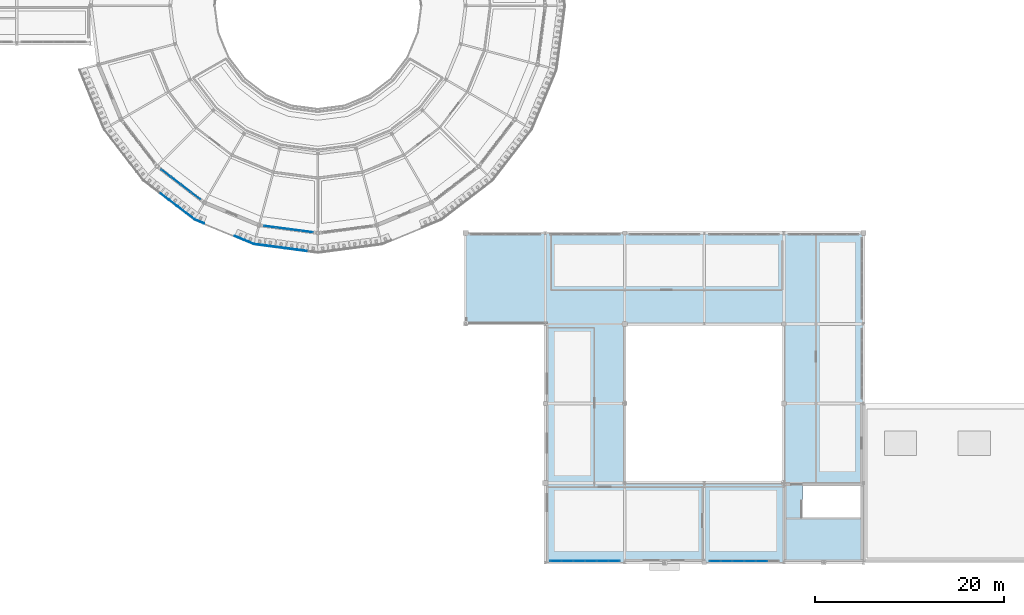
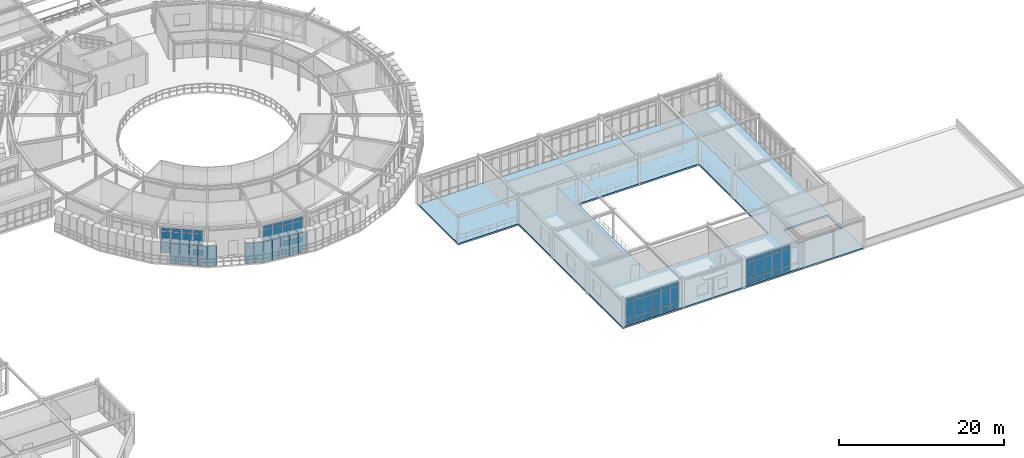
# One storey, part 68 of 106: 69 plates, 1 slab, 4 elements without a shape of their own.
"""IFC4 building model written with IfcOpenShell, lengths in metres."""

from ifc_helpers import new_model, si_unit, derived_unit, direction, frame, origin, origin_2d, place, context, subcontext, project, spatial, polyline, rectangle, outline, extrude, material, layer, layer_set, type_object, element, aggregate, save


model = new_model("IFC4")

# Units and contexts
model_context = context("Model", 3, precision=1e-05, world=origin(), true_north=direction((0.0, 1.0)))
body_context = subcontext(model_context, "Body", "Model", "MODEL_VIEW")
ifc_project = project(units=[si_unit("LENGTHUNIT", "METRE"), si_unit("AREAUNIT", "SQUARE_METRE"), si_unit("VOLUMEUNIT", "CUBIC_METRE"), si_unit("PLANEANGLEUNIT", "RADIAN"), si_unit("MASSUNIT", "GRAM", prefix="KILO"), derived_unit("THERMALTRANSMITTANCEUNIT", [(si_unit("POWERUNIT", "WATT"), 1), (si_unit("AREAUNIT", "SQUARE_METRE"), -1), (si_unit("THERMODYNAMICTEMPERATUREUNIT", "KELVIN"), -1)])], contexts=[model_context])

# Site, building, storey
site_placement = place(None, origin())
site = spatial("IfcSite", under=ifc_project, at=site_placement, CompositionType="ELEMENT")
building_placement = place(site_placement, origin())
building = spatial("IfcBuilding", under=site, at=building_placement, Name="Yasenodar Specialist Clinic", CompositionType="ELEMENT")
storey_placement = place(building_placement, frame((0.0, 0.0, 4.5)))
storey = spatial("IfcBuildingStorey", under=building, at=storey_placement, Name="L01", CompositionType="ELEMENT", Elevation=4.5)

# Curtain wall, plates
ifc_material_1 = material(Name="Bronze Anodized Aluminium and Triple Low-E Glass", Category="aluminium")
ifc_layer_1 = layer(ifc_material_1, 0.1669921875)
ifc_layer_set_1 = layer_set([ifc_layer_1], Name="Bronze Anodized Aluminium and Triple Low-E Glass")
curtain_wall_type_1 = type_object("IfcCurtainWallType", Name="CW-SYS-01", PredefinedType="USERDEFINED", material=ifc_layer_set_1)
curtain_wall_1_placement = place(storey_placement, origin())
curtain_wall_1 = element("IfcCurtainWall", 1, at=curtain_wall_1_placement, inside=storey, type_object=curtain_wall_type_1, Name="L01 Unitised Curtain Wall 020", ObjectType="UNITISED CURTAIN WALL", PredefinedType="USERDEFINED")
ifc_material_2 = material(Name="Triple Low-E Argon Glazing", Category="glass")
ifc_layer_2 = layer(ifc_material_2, 0.028076171875)
ifc_layer_set_2 = layer_set([ifc_layer_2], Name="Triple Low-E Argon Glazing")
plate_type_1 = type_object("IfcPlateType", Name="CW-PAN-1", PredefinedType="CURTAIN_PANEL", material=ifc_layer_set_2)
plate_1_placement = place(storey_placement, frame((68.078125, 38.72265625, 0.074951171875), z_axis=(0.0, 0.0, 1.0), x_axis=(-0.793360558574, 0.608752021844, 0.0)))
plate_1 = element("IfcPlate", 2, at=plate_1_placement, type_object=plate_type_1, Name="CW-01 panel 1.1", PredefinedType="CURTAIN_PANEL", context=body_context, shape_type="SweptSolid", body=[
    extrude(rectangle(XDim=1.2138671875, YDim=0.028076171875, at=origin_2d()), origin(), (0.0, 0.0, 1.0), 0.78759765625),
])
plate_2_placement = place(storey_placement, frame((68.078125, 38.72265625, 0.9375), z_axis=(0.0, 0.0, 1.0), x_axis=(-0.793360558574, 0.608752021844, 0.0)))
plate_2 = element("IfcPlate", 3, at=plate_2_placement, type_object=plate_type_1, Name="CW-01 panel 1.2", PredefinedType="CURTAIN_PANEL", context=body_context, shape_type="SweptSolid", body=[
    extrude(rectangle(XDim=1.2138671875, YDim=0.028076171875, at=origin_2d()), origin(), (0.0, 0.0, 1.0), 2.262939453125),
])
plate_3_placement = place(storey_placement, frame((68.078125, 38.72265625, 3.275390625), z_axis=(0.0, 0.0, 1.0), x_axis=(-0.793360558574, 0.608752021844, 0.0)))
plate_3 = element("IfcPlate", 4, at=plate_3_placement, type_object=plate_type_1, Name="CW-01 panel 1.3", PredefinedType="CURTAIN_PANEL", context=body_context, shape_type="SweptSolid", body=[
    extrude(rectangle(XDim=1.2138671875, YDim=0.028076171875, at=origin_2d()), origin(), (0.0, 0.0, 1.0), 0.487548828125),
])
plate_4_placement = place(storey_placement, frame((67.040771484375, 39.518798828125, 0.074951171875), z_axis=(0.0, 0.0, 1.0), x_axis=(-0.793360558574, 0.608752021844, 0.0)))
plate_4 = element("IfcPlate", 5, at=plate_4_placement, type_object=plate_type_1, Name="CW-01 panel 2.1", PredefinedType="CURTAIN_PANEL", context=body_context, shape_type="SweptSolid", body=[
    extrude(rectangle(XDim=1.251220703125, YDim=0.028076171875, at=origin_2d()), origin(), (0.0, 0.0, 1.0), 0.78759765625),
])
plate_5_placement = place(storey_placement, frame((67.040771484375, 39.518798828125, 0.9375), z_axis=(0.0, 0.0, 1.0), x_axis=(-0.793360558574, 0.608752021844, 0.0)))
plate_5 = element("IfcPlate", 6, at=plate_5_placement, type_object=plate_type_1, Name="CW-01 panel 2.2", PredefinedType="CURTAIN_PANEL", context=body_context, shape_type="SweptSolid", body=[
    extrude(rectangle(XDim=1.251220703125, YDim=0.028076171875, at=origin_2d()), origin(), (0.0, 0.0, 1.0), 2.262939453125),
])
plate_6_placement = place(storey_placement, frame((67.040771484375, 39.518798828125, 3.275390625), z_axis=(0.0, 0.0, 1.0), x_axis=(-0.793360558574, 0.608752021844, 0.0)))
plate_6 = element("IfcPlate", 7, at=plate_6_placement, type_object=plate_type_1, Name="CW-01 panel 2.3", PredefinedType="CURTAIN_PANEL", context=body_context, shape_type="SweptSolid", body=[
    extrude(rectangle(XDim=1.251220703125, YDim=0.028076171875, at=origin_2d()), origin(), (0.0, 0.0, 1.0), 0.487548828125),
])
plate_7_placement = place(storey_placement, frame((65.988525390625, 40.326171875, 0.074951171875), z_axis=(0.0, 0.0, 1.0), x_axis=(-0.793360558574, 0.608752021844, 0.0)))
plate_7 = element("IfcPlate", 8, at=plate_7_placement, type_object=plate_type_1, Name="CW-01 panel 3.1", PredefinedType="CURTAIN_PANEL", context=body_context, shape_type="SweptSolid", body=[
    extrude(rectangle(XDim=1.251220703125, YDim=0.028076171875, at=origin_2d()), origin(), (0.0, 0.0, 1.0), 0.78759765625),
])
plate_8_placement = place(storey_placement, frame((65.988525390625, 40.326171875, 0.9375), z_axis=(0.0, 0.0, 1.0), x_axis=(-0.793360558574, 0.608752021844, 0.0)))
plate_8 = element("IfcPlate", 9, at=plate_8_placement, type_object=plate_type_1, Name="CW-01 panel 3.2", PredefinedType="CURTAIN_PANEL", context=body_context, shape_type="SweptSolid", body=[
    extrude(rectangle(XDim=1.251220703125, YDim=0.028076171875, at=origin_2d()), origin(), (0.0, 0.0, 1.0), 2.262939453125),
])
plate_9_placement = place(storey_placement, frame((65.988525390625, 40.326171875, 3.275390625), z_axis=(0.0, 0.0, 1.0), x_axis=(-0.793360558574, 0.608752021844, 0.0)))
plate_9 = element("IfcPlate", 10, at=plate_9_placement, type_object=plate_type_1, Name="CW-01 panel 3.3", PredefinedType="CURTAIN_PANEL", context=body_context, shape_type="SweptSolid", body=[
    extrude(rectangle(XDim=1.251220703125, YDim=0.028076171875, at=origin_2d()), origin(), (0.0, 0.0, 1.0), 0.487548828125),
])
plate_10_placement = place(storey_placement, frame((64.951171875, 41.1220703125, 0.074951171875), z_axis=(0.0, 0.0, 1.0), x_axis=(-0.793360558574, 0.608752021844, 0.0)))
plate_10 = element("IfcPlate", 11, at=plate_10_placement, type_object=plate_type_1, Name="CW-01 panel 4.1", PredefinedType="CURTAIN_PANEL", context=body_context, shape_type="SweptSolid", body=[
    extrude(rectangle(XDim=1.2138671875, YDim=0.028076171875, at=origin_2d()), origin(), (0.0, 0.0, 1.0), 0.78759765625),
])
plate_11_placement = place(storey_placement, frame((64.951171875, 41.1220703125, 0.9375), z_axis=(0.0, 0.0, 1.0), x_axis=(-0.793360558574, 0.608752021844, 0.0)))
plate_11 = element("IfcPlate", 12, at=plate_11_placement, type_object=plate_type_1, Name="CW-01 panel 4.2", PredefinedType="CURTAIN_PANEL", context=body_context, shape_type="SweptSolid", body=[
    extrude(rectangle(XDim=1.2138671875, YDim=0.028076171875, at=origin_2d()), origin(), (0.0, 0.0, 1.0), 2.262939453125),
])
plate_12_placement = place(storey_placement, frame((64.951171875, 41.1220703125, 3.275390625), z_axis=(0.0, 0.0, 1.0), x_axis=(-0.793360558574, 0.608752021844, 0.0)))
plate_12 = element("IfcPlate", 13, at=plate_12_placement, type_object=plate_type_1, Name="CW-01 panel 4.3", PredefinedType="CURTAIN_PANEL", context=body_context, shape_type="SweptSolid", body=[
    extrude(rectangle(XDim=1.2138671875, YDim=0.028076171875, at=origin_2d()), origin(), (0.0, 0.0, 1.0), 0.487548828125),
])
aggregate(curtain_wall_1, [plate_1, plate_2, plate_3, plate_4, plate_5, plate_6, plate_7, plate_8, plate_9, plate_10, plate_11, plate_12])

ifc_layer_3 = layer(ifc_material_1, 0.178955078125)
ifc_layer_set_3 = layer_set([ifc_layer_3], Name="Bronze Anodized Aluminium and Triple Low-E Glass")
curtain_wall_type_2 = type_object("IfcCurtainWallType", Name="CW-SYS-02", PredefinedType="USERDEFINED", material=ifc_layer_set_3)
curtain_wall_2_placement = place(storey_placement, origin())
curtain_wall_2 = element("IfcCurtainWall", 14, at=curtain_wall_2_placement, inside=storey, type_object=curtain_wall_type_2, Name="L01 Unitised Curtain Wall 092", ObjectType="UNITISED CURTAIN WALL", PredefinedType="USERDEFINED")
plate_13_placement = place(storey_placement, frame((127.860107421875, 0.14990234375, 0.070068359375), z_axis=(0.0, 0.0, 1.0), x_axis=(-1.0, 0.0, 0.0)))
plate_13 = element("IfcPlate", 15, at=plate_13_placement, type_object=plate_type_1, Name="CW-02 panel 2.1", PredefinedType="CURTAIN_PANEL", context=body_context, shape_type="SweptSolid", body=[
    extrude(rectangle(XDim=1.169921875, YDim=0.028076171875, at=origin_2d()), origin(), (0.0, 0.0, 1.0), 0.794921875),
])
plate_14_placement = place(storey_placement, frame((127.860107421875, 0.14990234375, 0.93505859375), z_axis=(0.0, 0.0, 1.0), x_axis=(-1.0, 0.0, 0.0)))
plate_14 = element("IfcPlate", 16, at=plate_14_placement, type_object=plate_type_1, Name="CW-02 panel 2.2", PredefinedType="CURTAIN_PANEL", context=body_context, shape_type="SweptSolid", body=[
    extrude(rectangle(XDim=1.169921875, YDim=0.028076171875, at=origin_2d()), origin(), (0.0, 0.0, 1.0), 2.407958984375),
])
plate_15_placement = place(storey_placement, frame((127.860107421875, 0.14990234375, 3.412841796875), z_axis=(0.0, 0.0, 1.0), x_axis=(-1.0, 0.0, 0.0)))
plate_15 = element("IfcPlate", 17, at=plate_15_placement, type_object=plate_type_1, Name="CW-02 panel 2.3", PredefinedType="CURTAIN_PANEL", context=body_context, shape_type="SweptSolid", body=[
    extrude(rectangle(XDim=1.169921875, YDim=0.028076171875, at=origin_2d()), origin(), (0.0, 0.0, 1.0), 0.4951171875),
])
plate_16_placement = place(storey_placement, frame((126.6201171875, 0.14990234375, 0.070068359375), z_axis=(0.0, 0.0, 1.0), x_axis=(-1.0, 0.0, 0.0)))
plate_16 = element("IfcPlate", 18, at=plate_16_placement, type_object=plate_type_1, Name="CW-02 panel 3.1", PredefinedType="CURTAIN_PANEL", context=body_context, shape_type="SweptSolid", body=[
    extrude(rectangle(XDim=1.169921875, YDim=0.028076171875, at=origin_2d()), origin(), (0.0, 0.0, 1.0), 0.794921875),
])
plate_17_placement = place(storey_placement, frame((126.6201171875, 0.14990234375, 0.93505859375), z_axis=(0.0, 0.0, 1.0), x_axis=(-1.0, 0.0, 0.0)))
plate_17 = element("IfcPlate", 19, at=plate_17_placement, type_object=plate_type_1, Name="CW-02 panel 3.2", PredefinedType="CURTAIN_PANEL", context=body_context, shape_type="SweptSolid", body=[
    extrude(rectangle(XDim=1.169921875, YDim=0.028076171875, at=origin_2d()), origin(), (0.0, 0.0, 1.0), 2.407958984375),
])
plate_18_placement = place(storey_placement, frame((126.6201171875, 0.14990234375, 3.412841796875), z_axis=(0.0, 0.0, 1.0), x_axis=(-1.0, 0.0, 0.0)))
plate_18 = element("IfcPlate", 20, at=plate_18_placement, type_object=plate_type_1, Name="CW-02 panel 3.3", PredefinedType="CURTAIN_PANEL", context=body_context, shape_type="SweptSolid", body=[
    extrude(rectangle(XDim=1.169921875, YDim=0.028076171875, at=origin_2d()), origin(), (0.0, 0.0, 1.0), 0.4951171875),
])
plate_19_placement = place(storey_placement, frame((125.3798828125, 0.14990234375, 0.070068359375), z_axis=(0.0, 0.0, 1.0), x_axis=(-1.0, 0.0, 0.0)))
plate_19 = element("IfcPlate", 21, at=plate_19_placement, type_object=plate_type_1, Name="CW-02 panel 4.1", PredefinedType="CURTAIN_PANEL", context=body_context, shape_type="SweptSolid", body=[
    extrude(rectangle(XDim=1.169921875, YDim=0.028076171875, at=origin_2d()), origin(), (0.0, 0.0, 1.0), 0.794921875),
])
plate_20_placement = place(storey_placement, frame((125.3798828125, 0.14990234375, 0.93505859375), z_axis=(0.0, 0.0, 1.0), x_axis=(-1.0, 0.0, 0.0)))
plate_20 = element("IfcPlate", 22, at=plate_20_placement, type_object=plate_type_1, Name="CW-02 panel 4.2", PredefinedType="CURTAIN_PANEL", context=body_context, shape_type="SweptSolid", body=[
    extrude(rectangle(XDim=1.169921875, YDim=0.028076171875, at=origin_2d()), origin(), (0.0, 0.0, 1.0), 2.407958984375),
])
plate_21_placement = place(storey_placement, frame((125.3798828125, 0.14990234375, 3.412841796875), z_axis=(0.0, 0.0, 1.0), x_axis=(-1.0, 0.0, 0.0)))
plate_21 = element("IfcPlate", 23, at=plate_21_placement, type_object=plate_type_1, Name="CW-02 panel 4.3", PredefinedType="CURTAIN_PANEL", context=body_context, shape_type="SweptSolid", body=[
    extrude(rectangle(XDim=1.169921875, YDim=0.028076171875, at=origin_2d()), origin(), (0.0, 0.0, 1.0), 0.4951171875),
])
plate_22_placement = place(storey_placement, frame((124.139892578125, 0.14990234375, 0.070068359375), z_axis=(0.0, 0.0, 1.0), x_axis=(-1.0, 0.0, 0.0)))
plate_22 = element("IfcPlate", 24, at=plate_22_placement, type_object=plate_type_1, Name="CW-02 panel 5.1", PredefinedType="CURTAIN_PANEL", context=body_context, shape_type="SweptSolid", body=[
    extrude(rectangle(XDim=1.169921875, YDim=0.028076171875, at=origin_2d()), origin(), (0.0, 0.0, 1.0), 0.794921875),
])
plate_23_placement = place(storey_placement, frame((124.139892578125, 0.14990234375, 0.93505859375), z_axis=(0.0, 0.0, 1.0), x_axis=(-1.0, 0.0, 0.0)))
plate_23 = element("IfcPlate", 25, at=plate_23_placement, type_object=plate_type_1, Name="CW-02 panel 5.2", PredefinedType="CURTAIN_PANEL", context=body_context, shape_type="SweptSolid", body=[
    extrude(rectangle(XDim=1.169921875, YDim=0.028076171875, at=origin_2d()), origin(), (0.0, 0.0, 1.0), 2.407958984375),
])
plate_24_placement = place(storey_placement, frame((124.139892578125, 0.14990234375, 3.412841796875), z_axis=(0.0, 0.0, 1.0), x_axis=(-1.0, 0.0, 0.0)))
plate_24 = element("IfcPlate", 26, at=plate_24_placement, type_object=plate_type_1, Name="CW-02 panel 5.3", PredefinedType="CURTAIN_PANEL", context=body_context, shape_type="SweptSolid", body=[
    extrude(rectangle(XDim=1.169921875, YDim=0.028076171875, at=origin_2d()), origin(), (0.0, 0.0, 1.0), 0.4951171875),
])
plate_25_placement = place(storey_placement, frame((122.91748046875, 0.14990234375, 0.070068359375), z_axis=(0.0, 0.0, 1.0), x_axis=(-1.0, 0.0, 0.0)))
plate_25 = element("IfcPlate", 27, at=plate_25_placement, type_object=plate_type_1, Name="CW-02 panel 6.1", PredefinedType="CURTAIN_PANEL", context=body_context, shape_type="SweptSolid", body=[
    extrude(rectangle(XDim=1.135009765625, YDim=0.028076171875, at=origin_2d()), origin(), (0.0, 0.0, 1.0), 0.794921875),
])
plate_26_placement = place(storey_placement, frame((122.91748046875, 0.14990234375, 0.93505859375), z_axis=(0.0, 0.0, 1.0), x_axis=(-1.0, 0.0, 0.0)))
plate_26 = element("IfcPlate", 28, at=plate_26_placement, type_object=plate_type_1, Name="CW-02 panel 6.2", PredefinedType="CURTAIN_PANEL", context=body_context, shape_type="SweptSolid", body=[
    extrude(rectangle(XDim=1.135009765625, YDim=0.028076171875, at=origin_2d()), origin(), (0.0, 0.0, 1.0), 2.407958984375),
])
plate_27_placement = place(storey_placement, frame((122.91748046875, 0.14990234375, 3.412841796875), z_axis=(0.0, 0.0, 1.0), x_axis=(-1.0, 0.0, 0.0)))
plate_27 = element("IfcPlate", 29, at=plate_27_placement, type_object=plate_type_1, Name="CW-02 panel 6.3", PredefinedType="CURTAIN_PANEL", context=body_context, shape_type="SweptSolid", body=[
    extrude(rectangle(XDim=1.135009765625, YDim=0.028076171875, at=origin_2d()), origin(), (0.0, 0.0, 1.0), 0.4951171875),
])
aggregate(curtain_wall_2, [plate_13, plate_14, plate_15, plate_16, plate_17, plate_18, plate_19, plate_20, plate_21, plate_22, plate_23, plate_24, plate_25, plate_26, plate_27])

curtain_wall_3_placement = place(storey_placement, origin())
curtain_wall_3 = element("IfcCurtainWall", 30, at=curtain_wall_3_placement, inside=storey, type_object=curtain_wall_type_1, Name="L01 Unitised Curtain Wall 021", ObjectType="UNITISED CURTAIN WALL", PredefinedType="USERDEFINED")
ifc_layer_4 = layer(ifc_material_2, 0.033935546875)
ifc_layer_set_4 = layer_set([ifc_layer_4], Name="Triple Low-E Argon Glazing")
plate_type_2 = type_object("IfcPlateType", Name="CW-PAN-2", PredefinedType="CURTAIN_PANEL", material=ifc_layer_set_4)
plate_28_placement = place(storey_placement, frame((79.851806640625, 34.951171875, 0.06005859375), z_axis=(0.0, 0.0, 1.0), x_axis=(-0.991446787601, 0.13051156024, 0.0)))
plate_28 = element("IfcPlate", 31, at=plate_28_placement, type_object=plate_type_2, Name="CW-01 panel 1.1", PredefinedType="CURTAIN_PANEL", context=body_context, shape_type="SweptSolid", body=[
    extrude(rectangle(XDim=1.236328125, YDim=0.033935546875, at=origin_2d()), origin(), (0.0, 0.0, 1.0), 0.81005859375),
])
plate_29_placement = place(storey_placement, frame((79.851806640625, 34.951171875, 0.93017578125), z_axis=(0.0, 0.0, 1.0), x_axis=(-0.991446787601, 0.13051156024, 0.0)))
plate_29 = element("IfcPlate", 32, at=plate_29_placement, type_object=plate_type_2, Name="CW-01 panel 1.2", PredefinedType="CURTAIN_PANEL", context=body_context, shape_type="SweptSolid", body=[
    extrude(rectangle(XDim=1.236328125, YDim=0.033935546875, at=origin_2d()), origin(), (0.0, 0.0, 1.0), 2.278076171875),
])
plate_30_placement = place(storey_placement, frame((79.851806640625, 34.951171875, 3.26806640625), z_axis=(0.0, 0.0, 1.0), x_axis=(-0.991446787601, 0.13051156024, 0.0)))
plate_30 = element("IfcPlate", 33, at=plate_30_placement, type_object=plate_type_2, Name="CW-01 panel 1.3", PredefinedType="CURTAIN_PANEL", context=body_context, shape_type="SweptSolid", body=[
    extrude(rectangle(XDim=1.236328125, YDim=0.033935546875, at=origin_2d()), origin(), (0.0, 0.0, 1.0), 0.510009765625),
])
plate_31_placement = place(storey_placement, frame((78.5517578125, 35.122314453125, 0.06005859375), z_axis=(0.0, 0.0, 1.0), x_axis=(-0.991446787601, 0.13051156024, 0.0)))
plate_31 = element("IfcPlate", 34, at=plate_31_placement, type_object=plate_type_2, Name="CW-01 panel 2.1", PredefinedType="CURTAIN_PANEL", context=body_context, shape_type="SweptSolid", body=[
    extrude(rectangle(XDim=1.266357421875, YDim=0.033935546875, at=origin_2d()), origin(), (0.0, 0.0, 1.0), 0.81005859375),
])
plate_32_placement = place(storey_placement, frame((78.5517578125, 35.122314453125, 0.93017578125), z_axis=(0.0, 0.0, 1.0), x_axis=(-0.991446787601, 0.13051156024, 0.0)))
plate_32 = element("IfcPlate", 35, at=plate_32_placement, type_object=plate_type_2, Name="CW-01 panel 2.2", PredefinedType="CURTAIN_PANEL", context=body_context, shape_type="SweptSolid", body=[
    extrude(rectangle(XDim=1.266357421875, YDim=0.033935546875, at=origin_2d()), origin(), (0.0, 0.0, 1.0), 2.278076171875),
])
plate_33_placement = place(storey_placement, frame((78.5517578125, 35.122314453125, 3.26806640625), z_axis=(0.0, 0.0, 1.0), x_axis=(-0.991446787601, 0.13051156024, 0.0)))
plate_33 = element("IfcPlate", 36, at=plate_33_placement, type_object=plate_type_2, Name="CW-01 panel 2.3", PredefinedType="CURTAIN_PANEL", context=body_context, shape_type="SweptSolid", body=[
    extrude(rectangle(XDim=1.266357421875, YDim=0.033935546875, at=origin_2d()), origin(), (0.0, 0.0, 1.0), 0.510009765625),
])
plate_34_placement = place(storey_placement, frame((77.236572265625, 35.29541015625, 0.06005859375), z_axis=(0.0, 0.0, 1.0), x_axis=(-0.991446787601, 0.13051156024, 0.0)))
plate_34 = element("IfcPlate", 37, at=plate_34_placement, type_object=plate_type_2, Name="CW-01 panel 3.1", PredefinedType="CURTAIN_PANEL", context=body_context, shape_type="SweptSolid", body=[
    extrude(rectangle(XDim=1.266357421875, YDim=0.033935546875, at=origin_2d()), origin(), (0.0, 0.0, 1.0), 0.81005859375),
])
plate_35_placement = place(storey_placement, frame((77.236572265625, 35.29541015625, 0.93017578125), z_axis=(0.0, 0.0, 1.0), x_axis=(-0.991446787601, 0.13051156024, 0.0)))
plate_35 = element("IfcPlate", 38, at=plate_35_placement, type_object=plate_type_2, Name="CW-01 panel 3.2", PredefinedType="CURTAIN_PANEL", context=body_context, shape_type="SweptSolid", body=[
    extrude(rectangle(XDim=1.266357421875, YDim=0.033935546875, at=origin_2d()), origin(), (0.0, 0.0, 1.0), 2.278076171875),
])
plate_36_placement = place(storey_placement, frame((77.236572265625, 35.29541015625, 3.26806640625), z_axis=(0.0, 0.0, 1.0), x_axis=(-0.991446787601, 0.13051156024, 0.0)))
plate_36 = element("IfcPlate", 39, at=plate_36_placement, type_object=plate_type_2, Name="CW-01 panel 3.3", PredefinedType="CURTAIN_PANEL", context=body_context, shape_type="SweptSolid", body=[
    extrude(rectangle(XDim=1.266357421875, YDim=0.033935546875, at=origin_2d()), origin(), (0.0, 0.0, 1.0), 0.510009765625),
])
plate_37_placement = place(storey_placement, frame((75.9365234375, 35.466552734375, 0.06005859375), z_axis=(0.0, 0.0, 1.0), x_axis=(-0.991446787601, 0.13051156024, 0.0)))
plate_37 = element("IfcPlate", 40, at=plate_37_placement, type_object=plate_type_2, Name="CW-01 panel 4.1", PredefinedType="CURTAIN_PANEL", context=body_context, shape_type="SweptSolid", body=[
    extrude(rectangle(XDim=1.236328125, YDim=0.033935546875, at=origin_2d()), origin(), (0.0, 0.0, 1.0), 0.81005859375),
])
plate_38_placement = place(storey_placement, frame((75.9365234375, 35.466552734375, 0.93017578125), z_axis=(0.0, 0.0, 1.0), x_axis=(-0.991446787601, 0.13051156024, 0.0)))
plate_38 = element("IfcPlate", 41, at=plate_38_placement, type_object=plate_type_2, Name="CW-01 panel 4.2", PredefinedType="CURTAIN_PANEL", context=body_context, shape_type="SweptSolid", body=[
    extrude(rectangle(XDim=1.236328125, YDim=0.033935546875, at=origin_2d()), origin(), (0.0, 0.0, 1.0), 2.278076171875),
])
plate_39_placement = place(storey_placement, frame((75.9365234375, 35.466552734375, 3.26806640625), z_axis=(0.0, 0.0, 1.0), x_axis=(-0.991446787601, 0.13051156024, 0.0)))
plate_39 = element("IfcPlate", 42, at=plate_39_placement, type_object=plate_type_2, Name="CW-01 panel 4.3", PredefinedType="CURTAIN_PANEL", context=body_context, shape_type="SweptSolid", body=[
    extrude(rectangle(XDim=1.236328125, YDim=0.033935546875, at=origin_2d()), origin(), (0.0, 0.0, 1.0), 0.510009765625),
])
aggregate(curtain_wall_3, [plate_28, plate_29, plate_30, plate_31, plate_32, plate_33, plate_34, plate_35, plate_36, plate_37, plate_38, plate_39])

curtain_wall_4_placement = place(storey_placement, origin())
curtain_wall_4 = element("IfcCurtainWall", 43, at=curtain_wall_4_placement, inside=storey, type_object=curtain_wall_type_2, Name="L01 Unitised Curtain Wall 093", ObjectType="UNITISED CURTAIN WALL", PredefinedType="USERDEFINED")
plate_40_placement = place(storey_placement, frame((112.282470703125, 0.14990234375, 0.070068359375), z_axis=(0.0, 0.0, 1.0), x_axis=(-1.0, 0.0, 0.0)))
plate_40 = element("IfcPlate", 44, at=plate_40_placement, type_object=plate_type_2, Name="CW-02 panel 1.1", PredefinedType="CURTAIN_PANEL", context=body_context, shape_type="SweptSolid", body=[
    extrude(rectangle(XDim=1.135009765625, YDim=0.033935546875, at=origin_2d()), origin(), (0.0, 0.0, 1.0), 0.794921875),
])
plate_41_placement = place(storey_placement, frame((112.282470703125, 0.14990234375, 0.93505859375), z_axis=(0.0, 0.0, 1.0), x_axis=(-1.0, 0.0, 0.0)))
plate_41 = element("IfcPlate", 45, at=plate_41_placement, type_object=plate_type_2, Name="CW-02 panel 1.2", PredefinedType="CURTAIN_PANEL", context=body_context, shape_type="SweptSolid", body=[
    extrude(rectangle(XDim=1.135009765625, YDim=0.033935546875, at=origin_2d()), origin(), (0.0, 0.0, 1.0), 2.407958984375),
])
plate_42_placement = place(storey_placement, frame((112.282470703125, 0.14990234375, 3.412841796875), z_axis=(0.0, 0.0, 1.0), x_axis=(-1.0, 0.0, 0.0)))
plate_42 = element("IfcPlate", 46, at=plate_42_placement, type_object=plate_type_2, Name="CW-02 panel 1.3", PredefinedType="CURTAIN_PANEL", context=body_context, shape_type="SweptSolid", body=[
    extrude(rectangle(XDim=1.135009765625, YDim=0.033935546875, at=origin_2d()), origin(), (0.0, 0.0, 1.0), 0.4951171875),
])
plate_43_placement = place(storey_placement, frame((111.06005859375, 0.14990234375, 0.070068359375), z_axis=(0.0, 0.0, 1.0), x_axis=(-1.0, 0.0, 0.0)))
plate_43 = element("IfcPlate", 47, at=plate_43_placement, type_object=plate_type_2, Name="CW-02 panel 2.1", PredefinedType="CURTAIN_PANEL", context=body_context, shape_type="SweptSolid", body=[
    extrude(rectangle(XDim=1.169921875, YDim=0.033935546875, at=origin_2d()), origin(), (0.0, 0.0, 1.0), 0.794921875),
])
plate_44_placement = place(storey_placement, frame((111.06005859375, 0.14990234375, 0.93505859375), z_axis=(0.0, 0.0, 1.0), x_axis=(-1.0, 0.0, 0.0)))
plate_44 = element("IfcPlate", 48, at=plate_44_placement, type_object=plate_type_2, Name="CW-02 panel 2.2", PredefinedType="CURTAIN_PANEL", context=body_context, shape_type="SweptSolid", body=[
    extrude(rectangle(XDim=1.169921875, YDim=0.033935546875, at=origin_2d()), origin(), (0.0, 0.0, 1.0), 2.407958984375),
])
plate_45_placement = place(storey_placement, frame((111.06005859375, 0.14990234375, 3.412841796875), z_axis=(0.0, 0.0, 1.0), x_axis=(-1.0, 0.0, 0.0)))
plate_45 = element("IfcPlate", 49, at=plate_45_placement, type_object=plate_type_2, Name="CW-02 panel 2.3", PredefinedType="CURTAIN_PANEL", context=body_context, shape_type="SweptSolid", body=[
    extrude(rectangle(XDim=1.169921875, YDim=0.033935546875, at=origin_2d()), origin(), (0.0, 0.0, 1.0), 0.4951171875),
])
plate_46_placement = place(storey_placement, frame((109.820068359375, 0.14990234375, 0.070068359375), z_axis=(0.0, 0.0, 1.0), x_axis=(-1.0, 0.0, 0.0)))
plate_46 = element("IfcPlate", 50, at=plate_46_placement, type_object=plate_type_2, Name="CW-02 panel 3.1", PredefinedType="CURTAIN_PANEL", context=body_context, shape_type="SweptSolid", body=[
    extrude(rectangle(XDim=1.169921875, YDim=0.033935546875, at=origin_2d()), origin(), (0.0, 0.0, 1.0), 0.794921875),
])
plate_47_placement = place(storey_placement, frame((109.820068359375, 0.14990234375, 0.93505859375), z_axis=(0.0, 0.0, 1.0), x_axis=(-1.0, 0.0, 0.0)))
plate_47 = element("IfcPlate", 51, at=plate_47_placement, type_object=plate_type_2, Name="CW-02 panel 3.2", PredefinedType="CURTAIN_PANEL", context=body_context, shape_type="SweptSolid", body=[
    extrude(rectangle(XDim=1.169921875, YDim=0.033935546875, at=origin_2d()), origin(), (0.0, 0.0, 1.0), 2.407958984375),
])
plate_48_placement = place(storey_placement, frame((109.820068359375, 0.14990234375, 3.412841796875), z_axis=(0.0, 0.0, 1.0), x_axis=(-1.0, 0.0, 0.0)))
plate_48 = element("IfcPlate", 52, at=plate_48_placement, type_object=plate_type_2, Name="CW-02 panel 3.3", PredefinedType="CURTAIN_PANEL", context=body_context, shape_type="SweptSolid", body=[
    extrude(rectangle(XDim=1.169921875, YDim=0.033935546875, at=origin_2d()), origin(), (0.0, 0.0, 1.0), 0.4951171875),
])
plate_49_placement = place(storey_placement, frame((108.580078125, 0.14990234375, 0.070068359375), z_axis=(0.0, 0.0, 1.0), x_axis=(-1.0, 0.0, 0.0)))
plate_49 = element("IfcPlate", 53, at=plate_49_placement, type_object=plate_type_2, Name="CW-02 panel 4.1", PredefinedType="CURTAIN_PANEL", context=body_context, shape_type="SweptSolid", body=[
    extrude(rectangle(XDim=1.169921875, YDim=0.033935546875, at=origin_2d()), origin(), (0.0, 0.0, 1.0), 0.794921875),
])
plate_50_placement = place(storey_placement, frame((108.580078125, 0.14990234375, 0.93505859375), z_axis=(0.0, 0.0, 1.0), x_axis=(-1.0, 0.0, 0.0)))
plate_50 = element("IfcPlate", 54, at=plate_50_placement, type_object=plate_type_2, Name="CW-02 panel 4.2", PredefinedType="CURTAIN_PANEL", context=body_context, shape_type="SweptSolid", body=[
    extrude(rectangle(XDim=1.169921875, YDim=0.033935546875, at=origin_2d()), origin(), (0.0, 0.0, 1.0), 2.407958984375),
])
plate_51_placement = place(storey_placement, frame((108.580078125, 0.14990234375, 3.412841796875), z_axis=(0.0, 0.0, 1.0), x_axis=(-1.0, 0.0, 0.0)))
plate_51 = element("IfcPlate", 55, at=plate_51_placement, type_object=plate_type_2, Name="CW-02 panel 4.3", PredefinedType="CURTAIN_PANEL", context=body_context, shape_type="SweptSolid", body=[
    extrude(rectangle(XDim=1.169921875, YDim=0.033935546875, at=origin_2d()), origin(), (0.0, 0.0, 1.0), 0.4951171875),
])
plate_52_placement = place(storey_placement, frame((107.340087890625, 0.14990234375, 0.070068359375), z_axis=(0.0, 0.0, 1.0), x_axis=(-1.0, 0.0, 0.0)))
plate_52 = element("IfcPlate", 56, at=plate_52_placement, type_object=plate_type_2, Name="CW-02 panel 5.1", PredefinedType="CURTAIN_PANEL", context=body_context, shape_type="SweptSolid", body=[
    extrude(rectangle(XDim=1.169921875, YDim=0.033935546875, at=origin_2d()), origin(), (0.0, 0.0, 1.0), 0.794921875),
])
plate_53_placement = place(storey_placement, frame((107.340087890625, 0.14990234375, 0.93505859375), z_axis=(0.0, 0.0, 1.0), x_axis=(-1.0, 0.0, 0.0)))
plate_53 = element("IfcPlate", 57, at=plate_53_placement, type_object=plate_type_2, Name="CW-02 panel 5.2", PredefinedType="CURTAIN_PANEL", context=body_context, shape_type="SweptSolid", body=[
    extrude(rectangle(XDim=1.169921875, YDim=0.033935546875, at=origin_2d()), origin(), (0.0, 0.0, 1.0), 2.407958984375),
])
plate_54_placement = place(storey_placement, frame((107.340087890625, 0.14990234375, 3.412841796875), z_axis=(0.0, 0.0, 1.0), x_axis=(-1.0, 0.0, 0.0)))
plate_54 = element("IfcPlate", 58, at=plate_54_placement, type_object=plate_type_2, Name="CW-02 panel 5.3", PredefinedType="CURTAIN_PANEL", context=body_context, shape_type="SweptSolid", body=[
    extrude(rectangle(XDim=1.169921875, YDim=0.033935546875, at=origin_2d()), origin(), (0.0, 0.0, 1.0), 0.4951171875),
])
plate_55_placement = place(storey_placement, frame((106.117431640625, 0.14990234375, 0.070068359375), z_axis=(0.0, 0.0, 1.0), x_axis=(-1.0, 0.0, 0.0)))
plate_55 = element("IfcPlate", 59, at=plate_55_placement, type_object=plate_type_2, Name="CW-02 panel 6.1", PredefinedType="CURTAIN_PANEL", context=body_context, shape_type="SweptSolid", body=[
    extrude(rectangle(XDim=1.135009765625, YDim=0.033935546875, at=origin_2d()), origin(), (0.0, 0.0, 1.0), 0.794921875),
])
plate_56_placement = place(storey_placement, frame((106.117431640625, 0.14990234375, 0.93505859375), z_axis=(0.0, 0.0, 1.0), x_axis=(-1.0, 0.0, 0.0)))
plate_56 = element("IfcPlate", 60, at=plate_56_placement, type_object=plate_type_2, Name="CW-02 panel 6.2", PredefinedType="CURTAIN_PANEL", context=body_context, shape_type="SweptSolid", body=[
    extrude(rectangle(XDim=1.135009765625, YDim=0.033935546875, at=origin_2d()), origin(), (0.0, 0.0, 1.0), 2.407958984375),
])
plate_57_placement = place(storey_placement, frame((106.117431640625, 0.14990234375, 3.412841796875), z_axis=(0.0, 0.0, 1.0), x_axis=(-1.0, 0.0, 0.0)))
plate_57 = element("IfcPlate", 61, at=plate_57_placement, type_object=plate_type_2, Name="CW-02 panel 6.3", PredefinedType="CURTAIN_PANEL", context=body_context, shape_type="SweptSolid", body=[
    extrude(rectangle(XDim=1.135009765625, YDim=0.033935546875, at=origin_2d()), origin(), (0.0, 0.0, 1.0), 0.4951171875),
])
aggregate(curtain_wall_4, [plate_40, plate_41, plate_42, plate_43, plate_44, plate_45, plate_46, plate_47, plate_48, plate_49, plate_50, plate_51, plate_52, plate_53, plate_54, plate_55, plate_56, plate_57])

# Plates
ifc_material_3 = material(Name="Thermally Modified Larch and Bronze Girih Jali Screen")
ifc_layer_5 = layer(ifc_material_3, 0.06494140625)
ifc_layer_set_5 = layer_set([ifc_layer_5], Name="Thermally Modified Larch and Bronze Girih Jali Screen")
plate_type_3 = type_object("IfcPlateType", Name="PL-JALI-850", PredefinedType="USERDEFINED", material=ifc_layer_set_5)
for number, where, z_axis, x_axis, name in (
    (62, (64.81982421875, 38.64990234375, 0.0048828125), (0.0, 0.0, 1.0), (0.793351200869, -0.608764217148, 0.0), "L01 Sliding Timber-Bronze Jali Shutter Screen 0063"),
    (63, (65.724365234375, 37.9560546875, 0.0048828125), (0.0, 0.0, 1.0), (0.793351200869, -0.608764217148, 0.0), "L01 Sliding Timber-Bronze Jali Shutter Screen 0064"),
    (64, (66.628662109375, 37.26220703125, 0.0048828125), (0.0, 0.0, 1.0), (0.793351200869, -0.608764217148, 0.0), "L01 Sliding Timber-Bronze Jali Shutter Screen 0065"),
    (65, (67.532958984375, 36.568115234375, 0.0048828125), (0.0, 0.0, 1.0), (0.793351200869, -0.608764217148, 0.0), "L01 Sliding Timber-Bronze Jali Shutter Screen 0066"),
    (66, (68.480224609375, 36.021240234375, 0.0048828125), (0.0, 0.0, 1.0), (0.923878192594, -0.382686667195, 0.0), "L01 Sliding Timber-Bronze Jali Shutter Screen 0067"),
    (67, (72.69287109375, 34.2763671875, 0.0048828125), (0.0, 0.0, 1.0), (0.923878192594, -0.382686667195, 0.0), "L01 Sliding Timber-Bronze Jali Shutter Screen 0068"),
    (68, (73.745849609375, 33.840087890625, 0.0048828125), (0.0, 0.0, 1.0), (0.923878192594, -0.382686667195, 0.0), "L01 Sliding Timber-Bronze Jali Shutter Screen 0069"),
    (69, (74.80224609375, 33.55712890625, 0.0048828125), (0.0, 0.0, 1.0), (0.991445783754, -0.130519185854, 0.0), "L01 Sliding Timber-Bronze Jali Shutter Screen 0070"),
    (70, (75.932373046875, 33.408203125, 0.0048828125), (0.0, 0.0, 1.0), (0.991445783754, -0.130519185854, 0.0), "L01 Sliding Timber-Bronze Jali Shutter Screen 0071"),
    (71, (77.0625, 33.259521484375, 0.0048828125), (0.0, 0.0, 1.0), (0.991445783754, -0.130519185854, 0.0), "L01 Sliding Timber-Bronze Jali Shutter Screen 0072"),
    (72, (78.19287109375, 33.11083984375, 0.0048828125), (0.0, 0.0, 1.0), (0.991445783754, -0.130519185854, 0.0), "L01 Sliding Timber-Bronze Jali Shutter Screen 0073"),
    (73, (79.322998046875, 32.9619140625, 0.0048828125), (0.0, 0.0, 1.0), (0.991445783754, -0.130519185854, 0.0), "L01 Sliding Timber-Bronze Jali Shutter Screen 0074"),
):
    element("IfcPlate", number, at=place(storey_placement, frame(where, z_axis=z_axis, x_axis=x_axis)), inside=storey, type_object=plate_type_3, Name=name, ObjectType="SCREEN_PANEL", PredefinedType="USERDEFINED", context=body_context, shape_type="SweptSolid", body=[
        extrude(rectangle(XDim=1.0400390625, YDim=0.06494140625, at=origin_2d()), origin(), (0.0, 0.0, 1.0), 2.949951171875),
    ])

# Slab
ifc_material_4 = material(Name="Concrete C30/37", Category="concrete")
ifc_layer_6 = layer(ifc_material_4, 0.25)
ifc_layer_set_6 = layer_set([ifc_layer_6], Name="Concrete C30/37")
slab_type = type_object("IfcSlabType", Name="SLB-FLR-250", PredefinedType="FLOOR", material=ifc_layer_set_6)
slab_placement = place(storey_placement, frame((0.0, 0.0, -0.25)))
element("IfcSlab", 74, at=slab_placement, inside=storey, type_object=slab_type, Name="L01 V3 structural slab", PredefinedType="FLOOR", context=body_context, shape_type="SweptSolid", body=[
    extrude(outline(polyline([(105.0, 25.199951171875), (96.60009765625, 25.199951171875), (96.60009765625, 34.800048828125), (138.60009765625, 34.800048828125), (138.60009765625, 0.0), (105.0, 0.0), (105.0, 25.199951171875)]), holes=[polyline([(138.320068359375, 4.760009765625), (138.320068359375, 8.1201171875), (132.179931640625, 8.1201171875), (132.179931640625, 4.760009765625), (138.320068359375, 4.760009765625)]), polyline([(130.199951171875, 8.39990234375), (130.199951171875, 25.199951171875), (113.39990234375, 25.199951171875), (113.39990234375, 8.39990234375), (130.199951171875, 8.39990234375)])]), origin(), (0.0, 0.0, 1.0), 0.25),
])

save(model, "model.ifc")
